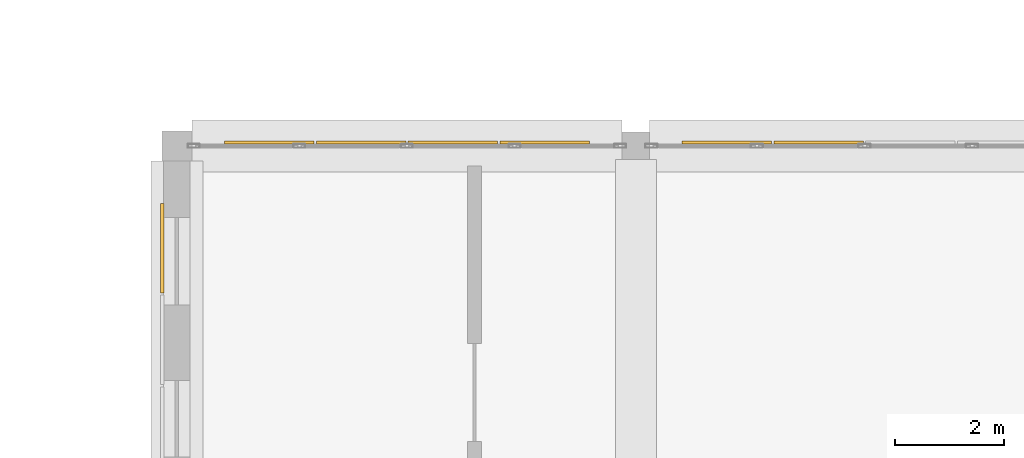
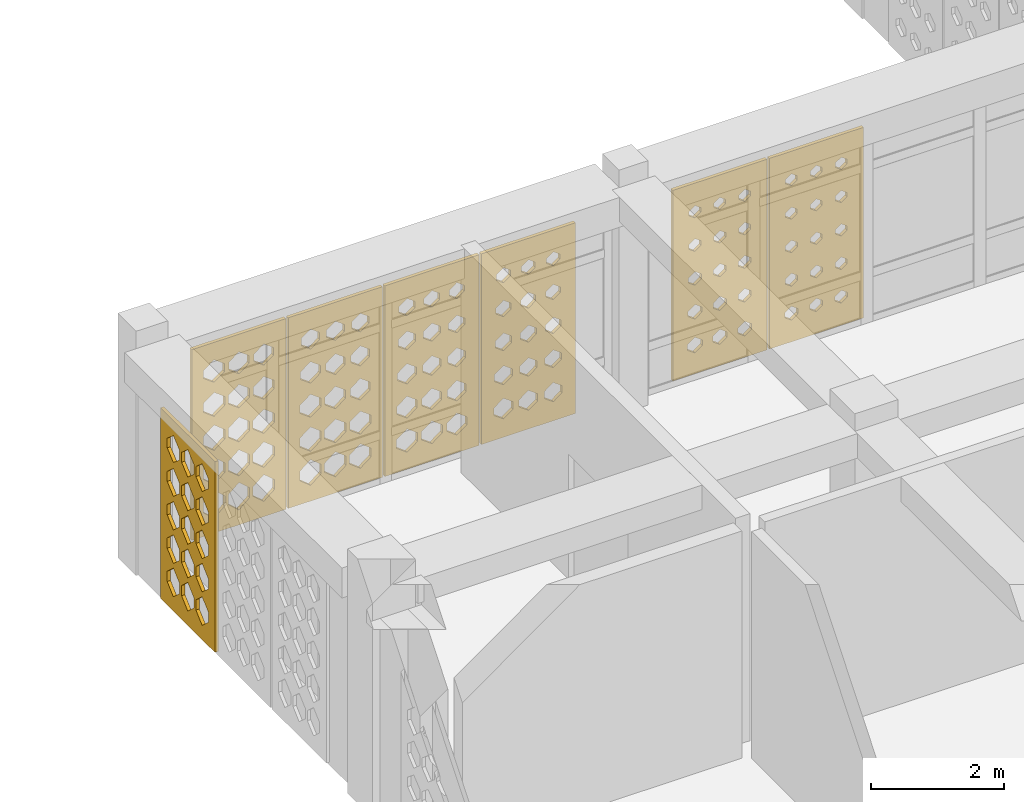
# One storey, part 108 of 121: 7 coverings.
"""IFC4 building model written with IfcOpenShell, lengths in metres."""

from ifc_helpers import new_model, si_unit, derived_unit, direction, frame, origin, place, context, subcontext, project, spatial, polyline, outline, extrude, material, layer, layer_set, type_object, element, save


model = new_model("IFC4")

# Units and contexts
model_context = context("Model", 3, precision=1e-05, world=origin(), true_north=direction((0.0, 1.0)))
body_context = subcontext(model_context, "Body", "Model", "MODEL_VIEW")
ifc_project = project(units=[si_unit("LENGTHUNIT", "METRE"), si_unit("AREAUNIT", "SQUARE_METRE"), si_unit("VOLUMEUNIT", "CUBIC_METRE"), si_unit("PLANEANGLEUNIT", "RADIAN"), si_unit("MASSUNIT", "GRAM", prefix="KILO"), derived_unit("THERMALTRANSMITTANCEUNIT", [(si_unit("POWERUNIT", "WATT"), 1), (si_unit("LENGTHUNIT", "METRE"), -2), (si_unit("THERMODYNAMICTEMPERATUREUNIT", "KELVIN"), -1)])], contexts=[model_context])

# Site, building, storey
site_placement = place(None, origin())
site = spatial("IfcSite", under=ifc_project, at=site_placement, CompositionType="ELEMENT")
building_placement = place(site_placement, origin())
building = spatial("IfcBuilding", under=site, at=building_placement, Name="Veybourne Emporium", CompositionType="ELEMENT")
storey_placement = place(building_placement, frame((0.0, 0.0, 5.39990234375)))
storey = spatial("IfcBuildingStorey", under=building, at=storey_placement, Name="L01", CompositionType="ELEMENT", Elevation=5.39990234375)

# Coverings
ifc_material = material(Name="Warm-White Perforated Aluminium Screen Alloy", Category="aluminium")
ifc_layer_1 = layer(ifc_material, 0.06005859375)
ifc_layer_set_1 = layer_set([ifc_layer_1], Name="Warm-White Perforated Aluminium Screen Alloy")
covering_type_1 = type_object("IfcCoveringType", Name="WaveScreen_SCR-01", PredefinedType="CLADDING", material=ifc_layer_set_1)
covering_1_placement = place(storey_placement, frame((38.652587890625, 108.093017578125, 1.815185546875), z_axis=(0.0, -1.0, 0.0), x_axis=(1.0, 0.0, 0.0)))
element("IfcCovering", 1, at=covering_1_placement, inside=storey, type_object=covering_type_1, Name="L01 wave-perforated aluminium screen SCR-01 (24C.3)", PredefinedType="CLADDING", context=body_context, shape_type="SweptSolid", body=[
    extrude(outline(polyline([(-0.81982421875, -1.7548828125), (0.81982421875, -1.7548828125), (0.81982421875, 1.7548828125), (-0.81982421875, 1.7548828125), (-0.81982421875, -1.7548828125)]), holes=[polyline([(-0.433349609375, -1.013671875), (-0.248046875, -1.15087890625), (-0.248046875, -1.30517578125), (-0.433349609375, -1.4423828125), (-0.61865234375, -1.30517578125), (-0.61865234375, -1.15087890625), (-0.433349609375, -1.013671875)]), polyline([(-0.433349609375, -0.413818359375), (-0.259521484375, -0.5419921875), (-0.259521484375, -0.68603515625), (-0.433349609375, -0.814208984375), (-0.607421875, -0.68603515625), (-0.607421875, -0.5419921875), (-0.433349609375, -0.413818359375)]), polyline([(-0.433349609375, 0.186279296875), (-0.27099609375, 0.06689453125), (-0.27099609375, -0.06689453125), (-0.433349609375, -0.186279296875), (-0.595703125, -0.06689453125), (-0.595703125, 0.06689453125), (-0.433349609375, 0.186279296875)]), polyline([(-0.433349609375, 0.7861328125), (-0.282470703125, 0.676025390625), (-0.282470703125, 0.552001953125), (-0.433349609375, 0.44189453125), (-0.584228515625, 0.552001953125), (-0.584228515625, 0.676025390625), (-0.433349609375, 0.7861328125)]), polyline([(-0.433349609375, 1.38671875), (-0.29345703125, 1.28515625), (-0.29345703125, 1.1708984375), (-0.433349609375, 1.069091796875), (-0.5732421875, 1.1708984375), (-0.5732421875, 1.28515625), (-0.433349609375, 1.38671875)]), polyline([(0.0, -1.02001953125), (0.18017578125, -1.153076171875), (0.18017578125, -1.302978515625), (0.0, -1.43603515625), (-0.18017578125, -1.302978515625), (-0.18017578125, -1.153076171875), (0.0, -1.02001953125)]), polyline([(0.0, -0.420166015625), (0.168701171875, -0.544189453125), (0.168701171875, -0.683837890625), (0.0, -0.807861328125), (-0.168701171875, -0.683837890625), (-0.168701171875, -0.544189453125), (0.0, -0.420166015625)]), polyline([(0.0, 0.1796875), (0.156982421875, 0.064697265625), (0.156982421875, -0.064697265625), (0.0, -0.1796875), (-0.156982421875, -0.064697265625), (-0.156982421875, 0.064697265625), (0.0, 0.1796875)]), polyline([(0.0, 0.780029296875), (0.145751953125, 0.673828125), (0.145751953125, 0.55419921875), (0.0, 0.447998046875), (-0.145751953125, 0.55419921875), (-0.145751953125, 0.673828125), (0.0, 0.780029296875)]), polyline([(0.0, 1.381103515625), (0.13525390625, 1.283203125), (0.13525390625, 1.1728515625), (0.0, 1.074951171875), (-0.13525390625, 1.1728515625), (-0.13525390625, 1.283203125), (0.0, 1.381103515625)]), polyline([(0.433349609375, -1.0263671875), (0.6083984375, -1.155517578125), (0.6083984375, -1.300537109375), (0.433349609375, -1.4296875), (0.25830078125, -1.300537109375), (0.25830078125, -1.155517578125), (0.433349609375, -1.0263671875)]), polyline([(0.433349609375, -0.426513671875), (0.5966796875, -0.54638671875), (0.5966796875, -0.681396484375), (0.433349609375, -0.801513671875), (0.27001953125, -0.681396484375), (0.27001953125, -0.54638671875), (0.433349609375, -0.426513671875)]), polyline([(0.433349609375, 0.173583984375), (0.585205078125, 0.0625), (0.585205078125, -0.0625), (0.433349609375, -0.173583984375), (0.281494140625, -0.0625), (0.281494140625, 0.0625), (0.433349609375, 0.173583984375)]), polyline([(0.433349609375, 0.77392578125), (0.57421875, 0.671630859375), (0.57421875, 0.556396484375), (0.433349609375, 0.4541015625), (0.29248046875, 0.556396484375), (0.29248046875, 0.671630859375), (0.433349609375, 0.77392578125)]), polyline([(0.433349609375, 1.37548828125), (0.56396484375, 1.281005859375), (0.56396484375, 1.1748046875), (0.433349609375, 1.08056640625), (0.302490234375, 1.1748046875), (0.302490234375, 1.281005859375), (0.433349609375, 1.37548828125)])]), origin(), (0.0, 0.0, 1.0), 0.06005859375),
])
ifc_layer_2 = layer(ifc_material, 0.06005859375)
ifc_layer_set_2 = layer_set([ifc_layer_2], Name="Warm-White Perforated Aluminium Screen Alloy")
covering_type_2 = type_object("IfcCoveringType", Name="WaveScreen_SCR-02", PredefinedType="CLADDING", material=ifc_layer_set_2)
covering_2_placement = place(storey_placement, frame((40.33251953125, 108.093017578125, 1.815185546875), z_axis=(0.0, -1.0, 0.0), x_axis=(1.0, 0.0, 0.0)))
element("IfcCovering", 2, at=covering_2_placement, inside=storey, type_object=covering_type_2, Name="L01 wave-perforated aluminium screen SCR-02 (24C.4)", PredefinedType="CLADDING", context=body_context, shape_type="SweptSolid", body=[
    extrude(outline(polyline([(-0.81982421875, -1.7548828125), (0.81982421875, -1.7548828125), (0.81982421875, 1.7548828125), (-0.81982421875, 1.7548828125), (-0.81982421875, -1.7548828125)]), holes=[polyline([(-0.433349609375, -1.038330078125), (-0.268310546875, -1.15966796875), (-0.268310546875, -1.29638671875), (-0.433349609375, -1.41748046875), (-0.598388671875, -1.29638671875), (-0.598388671875, -1.15966796875), (-0.433349609375, -1.038330078125)]), polyline([(-0.433349609375, -0.4384765625), (-0.27978515625, -0.55078125), (-0.27978515625, -0.67724609375), (-0.433349609375, -0.78955078125), (-0.5869140625, -0.67724609375), (-0.5869140625, -0.55078125), (-0.433349609375, -0.4384765625)]), polyline([(-0.433349609375, 0.162109375), (-0.290771484375, 0.058349609375), (-0.290771484375, -0.058349609375), (-0.433349609375, -0.162109375), (-0.575927734375, -0.058349609375), (-0.575927734375, 0.058349609375), (-0.433349609375, 0.162109375)]), polyline([(-0.433349609375, 0.76318359375), (-0.30126953125, 0.667724609375), (-0.30126953125, 0.560302734375), (-0.433349609375, 0.464599609375), (-0.5654296875, 0.560302734375), (-0.5654296875, 0.667724609375), (-0.433349609375, 0.76318359375)]), polyline([(-0.433349609375, 1.365966796875), (-0.310546875, 1.277587890625), (-0.310546875, 1.17822265625), (-0.433349609375, 1.090087890625), (-0.55615234375, 1.17822265625), (-0.55615234375, 1.277587890625), (-0.433349609375, 1.365966796875)]), polyline([(0.0, -1.044921875), (0.159912109375, -1.162109375), (0.159912109375, -1.2939453125), (0.0, -1.4111328125), (-0.159912109375, -1.2939453125), (-0.159912109375, -1.162109375), (0.0, -1.044921875)]), polyline([(0.0, -0.444580078125), (0.1484375, -0.552978515625), (0.1484375, -0.6748046875), (0.0, -0.783203125), (-0.1484375, -0.6748046875), (-0.1484375, -0.552978515625), (0.0, -0.444580078125)]), polyline([(0.0, 0.156005859375), (0.1376953125, 0.05615234375), (0.1376953125, -0.05615234375), (0.0, -0.156005859375), (-0.1376953125, -0.05615234375), (-0.1376953125, 0.05615234375), (0.0, 0.156005859375)]), polyline([(0.0, 0.758056640625), (0.127685546875, 0.665771484375), (0.127685546875, 0.562255859375), (0.0, 0.469970703125), (-0.127685546875, 0.562255859375), (-0.127685546875, 0.665771484375), (0.0, 0.758056640625)]), polyline([(0.0, 1.361328125), (0.118896484375, 1.27587890625), (0.118896484375, 1.179931640625), (0.0, 1.0947265625), (-0.118896484375, 1.179931640625), (-0.118896484375, 1.27587890625), (0.0, 1.361328125)]), polyline([(0.433349609375, -1.05126953125), (0.587890625, -1.164306640625), (0.587890625, -1.291748046875), (0.433349609375, -1.40478515625), (0.27880859375, -1.291748046875), (0.27880859375, -1.164306640625), (0.433349609375, -1.05126953125)]), polyline([(0.433349609375, -0.45068359375), (0.576904296875, -0.55517578125), (0.576904296875, -0.6728515625), (0.433349609375, -0.777099609375), (0.289794921875, -0.6728515625), (0.289794921875, -0.55517578125), (0.433349609375, -0.45068359375)]), polyline([(0.433349609375, 0.150390625), (0.56640625, 0.05419921875), (0.56640625, -0.05419921875), (0.433349609375, -0.150390625), (0.30029296875, -0.05419921875), (0.30029296875, 0.05419921875), (0.433349609375, 0.150390625)]), polyline([(0.433349609375, 0.7529296875), (0.556884765625, 0.6640625), (0.556884765625, 0.56396484375), (0.433349609375, 0.47509765625), (0.309814453125, 0.56396484375), (0.309814453125, 0.6640625), (0.433349609375, 0.7529296875)]), polyline([(0.433349609375, 1.35693359375), (0.548828125, 1.2744140625), (0.548828125, 1.181640625), (0.433349609375, 1.09912109375), (0.31787109375, 1.181640625), (0.31787109375, 1.2744140625), (0.433349609375, 1.35693359375)])]), origin(), (0.0, 0.0, 1.0), 0.06005859375),
])
covering_3_placement = place(storey_placement, frame((33.302001953125, 106.1298828125, 1.815185546875), z_axis=(1.0, 0.0, 0.0), x_axis=(0.0, 1.0, 0.0)))
element("IfcCovering", 3, at=covering_3_placement, inside=storey, type_object=covering_type_2, Name="L01 wave-perforated aluminium screen SCR-02 (25.3)", PredefinedType="CLADDING", context=body_context, shape_type="SweptSolid", body=[
    extrude(outline(polyline([(-0.81982421875, -1.7548828125), (0.81982421875, -1.7548828125), (0.81982421875, 1.7548828125), (-0.81982421875, 1.7548828125), (-0.81982421875, -1.7548828125)]), holes=[polyline([(-0.433349609375, -0.964111328125), (-0.2470703125, -1.133056640625), (-0.2470703125, -1.322998046875), (-0.433349609375, -1.491943359375), (-0.61962890625, -1.322998046875), (-0.61962890625, -1.133056640625), (-0.433349609375, -0.964111328125)]), polyline([(-0.433349609375, -0.35009765625), (-0.2470703125, -0.51904296875), (-0.2470703125, -0.708984375), (-0.433349609375, -0.8779296875), (-0.61962890625, -0.708984375), (-0.61962890625, -0.51904296875), (-0.433349609375, -0.35009765625)]), polyline([(-0.433349609375, 0.263916015625), (-0.2470703125, 0.094970703125), (-0.2470703125, -0.094970703125), (-0.433349609375, -0.263916015625), (-0.61962890625, -0.094970703125), (-0.61962890625, 0.094970703125), (-0.433349609375, 0.263916015625)]), polyline([(-0.433349609375, 0.8779296875), (-0.2470703125, 0.708984375), (-0.2470703125, 0.51904296875), (-0.433349609375, 0.35009765625), (-0.61962890625, 0.51904296875), (-0.61962890625, 0.708984375), (-0.433349609375, 0.8779296875)]), polyline([(-0.433349609375, 1.484375), (-0.2470703125, 1.3203125), (-0.2470703125, 1.1357421875), (-0.433349609375, 0.9716796875), (-0.61962890625, 1.1357421875), (-0.61962890625, 1.3203125), (-0.433349609375, 1.484375)]), polyline([(0.0, -0.964111328125), (0.186279296875, -1.133056640625), (0.186279296875, -1.322998046875), (0.0, -1.491943359375), (-0.186279296875, -1.322998046875), (-0.186279296875, -1.133056640625), (0.0, -0.964111328125)]), polyline([(0.0, -0.35009765625), (0.186279296875, -0.51904296875), (0.186279296875, -0.708984375), (0.0, -0.8779296875), (-0.186279296875, -0.708984375), (-0.186279296875, -0.51904296875), (0.0, -0.35009765625)]), polyline([(0.0, 0.263916015625), (0.186279296875, 0.094970703125), (0.186279296875, -0.094970703125), (0.0, -0.263916015625), (-0.186279296875, -0.094970703125), (-0.186279296875, 0.094970703125), (0.0, 0.263916015625)]), polyline([(0.0, 0.875), (0.186279296875, 0.7080078125), (0.186279296875, 0.52001953125), (0.0, 0.35302734375), (-0.186279296875, 0.52001953125), (-0.186279296875, 0.7080078125), (0.0, 0.875)]), polyline([(0.0, 1.47998046875), (0.186279296875, 1.31884765625), (0.186279296875, 1.13720703125), (0.0, 0.975830078125), (-0.186279296875, 1.13720703125), (-0.186279296875, 1.31884765625), (0.0, 1.47998046875)]), polyline([(0.433349609375, -0.964111328125), (0.61962890625, -1.133056640625), (0.61962890625, -1.322998046875), (0.433349609375, -1.491943359375), (0.2470703125, -1.322998046875), (0.2470703125, -1.133056640625), (0.433349609375, -0.964111328125)]), polyline([(0.433349609375, -0.35009765625), (0.61962890625, -0.51904296875), (0.61962890625, -0.708984375), (0.433349609375, -0.8779296875), (0.2470703125, -0.708984375), (0.2470703125, -0.51904296875), (0.433349609375, -0.35009765625)]), polyline([(0.433349609375, 0.263916015625), (0.61962890625, 0.094970703125), (0.61962890625, -0.094970703125), (0.433349609375, -0.263916015625), (0.2470703125, -0.094970703125), (0.2470703125, 0.094970703125), (0.433349609375, 0.263916015625)]), polyline([(0.433349609375, 0.87109375), (0.61962890625, 0.70654296875), (0.61962890625, 0.521484375), (0.433349609375, 0.356689453125), (0.2470703125, 0.521484375), (0.2470703125, 0.70654296875), (0.433349609375, 0.87109375)]), polyline([(0.433349609375, 1.4755859375), (0.61962890625, 1.317138671875), (0.61962890625, 1.138916015625), (0.433349609375, 0.98046875), (0.2470703125, 1.138916015625), (0.2470703125, 1.317138671875), (0.433349609375, 1.4755859375)])]), origin(), (0.0, 0.0, 1.0), 0.06005859375),
])
covering_4_placement = place(storey_placement, frame((43.66748046875, 108.093994140625, 1.815185546875), z_axis=(0.0, -1.0, 0.0), x_axis=(1.0, 0.0, 0.0)))
element("IfcCovering", 4, at=covering_4_placement, inside=storey, type_object=covering_type_2, Name="L01 wave-perforated aluminium screen SCR-02 (27C.1)", PredefinedType="CLADDING", context=body_context, shape_type="SweptSolid", body=[
    extrude(outline(polyline([(-0.81982421875, -1.7548828125), (0.81982421875, -1.7548828125), (0.81982421875, 1.7548828125), (-0.81982421875, 1.7548828125), (-0.81982421875, -1.7548828125)]), holes=[polyline([(-0.433349609375, -1.08447265625), (-0.305908203125, -1.17626953125), (-0.305908203125, -1.27978515625), (-0.433349609375, -1.37158203125), (-0.560791015625, -1.27978515625), (-0.560791015625, -1.17626953125), (-0.433349609375, -1.08447265625)]), polyline([(-0.433349609375, -0.481201171875), (-0.314697265625, -0.566162109375), (-0.314697265625, -0.661865234375), (-0.433349609375, -0.746826171875), (-0.552001953125, -0.661865234375), (-0.552001953125, -0.566162109375), (-0.433349609375, -0.481201171875)]), polyline([(-0.433349609375, 0.1240234375), (-0.322021484375, 0.044677734375), (-0.322021484375, -0.044677734375), (-0.433349609375, -0.1240234375), (-0.544921875, -0.044677734375), (-0.544921875, 0.044677734375), (-0.433349609375, 0.1240234375)]), polyline([(-0.433349609375, 0.731201171875), (-0.327392578125, 0.65625), (-0.327392578125, 0.57177734375), (-0.433349609375, 0.496826171875), (-0.539306640625, 0.57177734375), (-0.539306640625, 0.65625), (-0.433349609375, 0.731201171875)]), polyline([(-0.433349609375, 1.340576171875), (-0.331298828125, 1.2685546875), (-0.331298828125, 1.1875), (-0.433349609375, 1.115478515625), (-0.535400390625, 1.1875), (-0.535400390625, 1.2685546875), (-0.433349609375, 1.340576171875)]), polyline([(0.0, -1.089599609375), (0.123291015625, -1.177978515625), (0.123291015625, -1.27783203125), (0.0, -1.366455078125), (-0.123291015625, -1.27783203125), (-0.123291015625, -1.177978515625), (0.0, -1.089599609375)]), polyline([(0.0, -0.4853515625), (0.115234375, -0.567626953125), (0.115234375, -0.660400390625), (0.0, -0.74267578125), (-0.115234375, -0.660400390625), (-0.115234375, -0.567626953125), (0.0, -0.4853515625)]), polyline([(0.0, 0.12060546875), (0.108642578125, 0.04345703125), (0.108642578125, -0.04345703125), (0.0, -0.12060546875), (-0.108642578125, -0.04345703125), (-0.108642578125, 0.04345703125), (0.0, 0.12060546875)]), polyline([(0.0, 0.728759765625), (0.10400390625, 0.6552734375), (0.10400390625, 0.57275390625), (0.0, 0.499267578125), (-0.10400390625, 0.57275390625), (-0.10400390625, 0.6552734375), (0.0, 0.728759765625)]), polyline([(0.0, 1.339111328125), (0.10107421875, 1.26806640625), (0.10107421875, 1.18798828125), (0.0, 1.11669921875), (-0.10107421875, 1.18798828125), (-0.10107421875, 1.26806640625), (0.0, 1.339111328125)]), polyline([(0.433349609375, -1.09423828125), (0.552734375, -1.1796875), (0.552734375, -1.276123046875), (0.433349609375, -1.36181640625), (0.31396484375, -1.276123046875), (0.31396484375, -1.1796875), (0.433349609375, -1.09423828125)]), polyline([(0.433349609375, -0.4892578125), (0.54541015625, -0.569091796875), (0.54541015625, -0.658935546875), (0.433349609375, -0.73876953125), (0.3212890625, -0.658935546875), (0.3212890625, -0.569091796875), (0.433349609375, -0.4892578125)]), polyline([(0.433349609375, 0.11767578125), (0.53955078125, 0.04248046875), (0.53955078125, -0.04248046875), (0.433349609375, -0.11767578125), (0.326904296875, -0.04248046875), (0.326904296875, 0.04248046875), (0.433349609375, 0.11767578125)]), polyline([(0.433349609375, 0.726806640625), (0.53564453125, 0.654541015625), (0.53564453125, 0.573486328125), (0.433349609375, 0.501220703125), (0.3310546875, 0.573486328125), (0.3310546875, 0.654541015625), (0.433349609375, 0.726806640625)]), polyline([(0.433349609375, 1.33837890625), (0.53369140625, 1.267578125), (0.53369140625, 1.188232421875), (0.433349609375, 1.11767578125), (0.3330078125, 1.188232421875), (0.3330078125, 1.267578125), (0.433349609375, 1.33837890625)])]), origin(), (0.0, 0.0, 1.0), 0.06005859375),
])
ifc_layer_3 = layer(ifc_material, 0.06005859375)
ifc_layer_set_3 = layer_set([ifc_layer_3], Name="Warm-White Perforated Aluminium Screen Alloy")
covering_type_3 = type_object("IfcCoveringType", Name="WaveScreen_SCR-03", PredefinedType="CLADDING", material=ifc_layer_set_3)
covering_5_placement = place(storey_placement, frame((35.29248046875, 108.093017578125, 1.815185546875), z_axis=(0.0, -1.0, 0.0), x_axis=(1.0, 0.0, 0.0)))
element("IfcCovering", 5, at=covering_5_placement, inside=storey, type_object=covering_type_3, Name="L01 wave-perforated aluminium screen SCR-03 (24C.1)", PredefinedType="CLADDING", context=body_context, shape_type="SweptSolid", body=[
    extrude(outline(polyline([(-0.81982421875, -1.7548828125), (0.81982421875, -1.7548828125), (0.81982421875, 1.7548828125), (-0.81982421875, 1.7548828125), (-0.81982421875, -1.7548828125)]), holes=[polyline([(-0.433349609375, -0.972412109375), (-0.2470703125, -1.135986328125), (-0.2470703125, -1.320068359375), (-0.433349609375, -1.483642578125), (-0.61962890625, -1.320068359375), (-0.61962890625, -1.135986328125), (-0.433349609375, -0.972412109375)]), polyline([(-0.433349609375, -0.368408203125), (-0.2470703125, -0.525634765625), (-0.2470703125, -0.702392578125), (-0.433349609375, -0.859619140625), (-0.61962890625, -0.702392578125), (-0.61962890625, -0.525634765625), (-0.433349609375, -0.368408203125)]), polyline([(-0.433349609375, 0.234130859375), (-0.2470703125, 0.084228515625), (-0.2470703125, -0.084228515625), (-0.433349609375, -0.234130859375), (-0.61962890625, -0.084228515625), (-0.61962890625, 0.084228515625), (-0.433349609375, 0.234130859375)]), polyline([(-0.433349609375, 0.835205078125), (-0.2470703125, 0.693603515625), (-0.2470703125, 0.5341796875), (-0.433349609375, 0.392578125), (-0.61962890625, 0.5341796875), (-0.61962890625, 0.693603515625), (-0.433349609375, 0.835205078125)]), polyline([(-0.433349609375, 1.435546875), (-0.25341796875, 1.302734375), (-0.25341796875, 1.1533203125), (-0.433349609375, 1.0205078125), (-0.61328125, 1.1533203125), (-0.61328125, 1.302734375), (-0.433349609375, 1.435546875)]), polyline([(0.0, -0.976806640625), (0.186279296875, -1.137451171875), (0.186279296875, -1.318603515625), (0.0, -1.479248046875), (-0.186279296875, -1.318603515625), (-0.186279296875, -1.137451171875), (0.0, -0.976806640625)]), polyline([(0.0, -0.373291015625), (0.186279296875, -0.52734375), (0.186279296875, -0.70068359375), (0.0, -0.8544921875), (-0.186279296875, -0.70068359375), (-0.186279296875, -0.52734375), (0.0, -0.373291015625)]), polyline([(0.0, 0.228515625), (0.186279296875, 0.082275390625), (0.186279296875, -0.082275390625), (0.0, -0.228515625), (-0.186279296875, -0.082275390625), (-0.186279296875, 0.082275390625), (0.0, 0.228515625)]), polyline([(0.0, 0.8291015625), (0.18603515625, 0.69140625), (0.18603515625, 0.53662109375), (0.0, 0.398681640625), (-0.18603515625, 0.53662109375), (-0.18603515625, 0.69140625), (0.0, 0.8291015625)]), polyline([(0.0, 1.42919921875), (0.1748046875, 1.300537109375), (0.1748046875, 1.155517578125), (0.0, 1.026611328125), (-0.1748046875, 1.155517578125), (-0.1748046875, 1.300537109375), (0.0, 1.42919921875)]), polyline([(0.433349609375, -0.9814453125), (0.61962890625, -1.13916015625), (0.61962890625, -1.31689453125), (0.433349609375, -1.474609375), (0.2470703125, -1.31689453125), (0.2470703125, -1.13916015625), (0.433349609375, -0.9814453125)]), polyline([(0.433349609375, -0.37890625), (0.61962890625, -0.529296875), (0.61962890625, -0.69873046875), (0.433349609375, -0.84912109375), (0.2470703125, -0.69873046875), (0.2470703125, -0.529296875), (0.433349609375, -0.37890625)]), polyline([(0.433349609375, 0.222412109375), (0.61962890625, 0.080078125), (0.61962890625, -0.080078125), (0.433349609375, -0.222412109375), (0.2470703125, -0.080078125), (0.2470703125, 0.080078125), (0.433349609375, 0.222412109375)]), polyline([(0.433349609375, 0.822998046875), (0.6142578125, 0.689208984375), (0.6142578125, 0.538818359375), (0.433349609375, 0.405029296875), (0.25244140625, 0.538818359375), (0.25244140625, 0.689208984375), (0.433349609375, 0.822998046875)]), polyline([(0.433349609375, 1.4228515625), (0.602783203125, 1.298095703125), (0.602783203125, 1.157958984375), (0.433349609375, 1.033203125), (0.263916015625, 1.157958984375), (0.263916015625, 1.298095703125), (0.433349609375, 1.4228515625)])]), origin(), (0.0, 0.0, 1.0), 0.06005859375),
])
covering_6_placement = place(storey_placement, frame((45.347412109375, 108.093994140625, 1.815185546875), z_axis=(0.0, -1.0, 0.0), x_axis=(1.0, 0.0, 0.0)))
element("IfcCovering", 6, at=covering_6_placement, inside=storey, type_object=covering_type_3, Name="L01 wave-perforated aluminium screen SCR-03 (27C.2)", PredefinedType="CLADDING", context=body_context, shape_type="SweptSolid", body=[
    extrude(outline(polyline([(-0.81982421875, -1.7548828125), (0.81982421875, -1.7548828125), (0.81982421875, 1.7548828125), (-0.81982421875, 1.7548828125), (-0.81982421875, -1.7548828125)]), holes=[polyline([(-0.433349609375, -1.10205078125), (-0.3203125, -1.1826171875), (-0.3203125, -1.273193359375), (-0.433349609375, -1.35400390625), (-0.54638671875, -1.273193359375), (-0.54638671875, -1.1826171875), (-0.433349609375, -1.10205078125)]), polyline([(-0.433349609375, -0.495361328125), (-0.326416015625, -0.5712890625), (-0.326416015625, -0.65673828125), (-0.433349609375, -0.732666015625), (-0.540283203125, -0.65673828125), (-0.540283203125, -0.5712890625), (-0.433349609375, -0.495361328125)]), polyline([(-0.433349609375, 0.11328125), (-0.33056640625, 0.040771484375), (-0.33056640625, -0.040771484375), (-0.433349609375, -0.11328125), (-0.5361328125, -0.040771484375), (-0.5361328125, 0.040771484375), (-0.433349609375, 0.11328125)]), polyline([(-0.433349609375, 0.724609375), (-0.3330078125, 0.65380859375), (-0.3330078125, 0.57421875), (-0.433349609375, 0.50341796875), (-0.53369140625, 0.57421875), (-0.53369140625, 0.65380859375), (-0.433349609375, 0.724609375)]), polyline([(-0.433349609375, 1.338134765625), (-0.333251953125, 1.267578125), (-0.333251953125, 1.1884765625), (-0.433349609375, 1.117919921875), (-0.533447265625, 1.1884765625), (-0.533447265625, 1.267578125), (-0.433349609375, 1.338134765625)]), polyline([(0.0, -1.105712890625), (0.110107421875, -1.183837890625), (0.110107421875, -1.272216796875), (0.0, -1.350341796875), (-0.110107421875, -1.272216796875), (-0.110107421875, -1.183837890625), (0.0, -1.105712890625)]), polyline([(0.0, -0.498046875), (0.10498046875, -0.572265625), (0.10498046875, -0.65576171875), (0.0, -0.72998046875), (-0.10498046875, -0.65576171875), (-0.10498046875, -0.572265625), (0.0, -0.498046875)]), polyline([(0.0, 0.11181640625), (0.1015625, 0.040283203125), (0.1015625, -0.040283203125), (0.0, -0.11181640625), (-0.1015625, -0.040283203125), (-0.1015625, 0.040283203125), (0.0, 0.11181640625)]), polyline([(0.0, 0.72412109375), (0.10009765625, 0.653564453125), (0.10009765625, 0.574462890625), (0.0, 0.50390625), (-0.10009765625, 0.574462890625), (-0.10009765625, 0.653564453125), (0.0, 0.72412109375)]), polyline([(0.0, 1.338623046875), (0.1005859375, 1.267822265625), (0.1005859375, 1.18798828125), (0.0, 1.1171875), (-0.1005859375, 1.18798828125), (-0.1005859375, 1.267822265625), (0.0, 1.338623046875)]), polyline([(0.433349609375, -1.10888671875), (0.541015625, -1.18505859375), (0.541015625, -1.27099609375), (0.433349609375, -1.34716796875), (0.32568359375, -1.27099609375), (0.32568359375, -1.18505859375), (0.433349609375, -1.10888671875)]), polyline([(0.433349609375, -0.500244140625), (0.536376953125, -0.572998046875), (0.536376953125, -0.655029296875), (0.433349609375, -0.727783203125), (0.330078125, -0.655029296875), (0.330078125, -0.572998046875), (0.433349609375, -0.500244140625)]), polyline([(0.433349609375, 0.110595703125), (0.533935546875, 0.039794921875), (0.533935546875, -0.039794921875), (0.433349609375, -0.110595703125), (0.332763671875, -0.039794921875), (0.332763671875, 0.039794921875), (0.433349609375, 0.110595703125)]), polyline([(0.433349609375, 0.72412109375), (0.533447265625, 0.653564453125), (0.533447265625, 0.574462890625), (0.433349609375, 0.50390625), (0.333251953125, 0.574462890625), (0.333251953125, 0.653564453125), (0.433349609375, 0.72412109375)]), polyline([(0.433349609375, 1.33984375), (0.534912109375, 1.268310546875), (0.534912109375, 1.187744140625), (0.433349609375, 1.1162109375), (0.331787109375, 1.187744140625), (0.331787109375, 1.268310546875), (0.433349609375, 1.33984375)])]), origin(), (0.0, 0.0, 1.0), 0.06005859375),
])
ifc_layer_4 = layer(ifc_material, 0.06005859375)
ifc_layer_set_4 = layer_set([ifc_layer_4], Name="Warm-White Perforated Aluminium Screen Alloy")
covering_type_4 = type_object("IfcCoveringType", Name="WaveScreen_SCR-04", PredefinedType="CLADDING", material=ifc_layer_set_4)
covering_7_placement = place(storey_placement, frame((36.972412109375, 108.093017578125, 1.815185546875), z_axis=(0.0, -1.0, 0.0), x_axis=(1.0, 0.0, 0.0)))
element("IfcCovering", 7, at=covering_7_placement, inside=storey, type_object=covering_type_4, Name="L01 wave-perforated aluminium screen SCR-04 (24C.2)", PredefinedType="CLADDING", context=body_context, shape_type="SweptSolid", body=[
    extrude(outline(polyline([(-0.81982421875, -1.7548828125), (0.81982421875, -1.7548828125), (0.81982421875, 1.7548828125), (-0.81982421875, 1.7548828125), (-0.81982421875, -1.7548828125)]), holes=[polyline([(-0.433349609375, -0.990966796875), (-0.2470703125, -1.142578125), (-0.2470703125, -1.313232421875), (-0.433349609375, -1.465087890625), (-0.61962890625, -1.313232421875), (-0.61962890625, -1.142578125), (-0.433349609375, -0.990966796875)]), polyline([(-0.433349609375, -0.3896484375), (-0.2470703125, -0.533203125), (-0.2470703125, -0.69482421875), (-0.433349609375, -0.83837890625), (-0.61962890625, -0.69482421875), (-0.61962890625, -0.533203125), (-0.433349609375, -0.3896484375)]), polyline([(-0.433349609375, 0.2109375), (-0.250732421875, 0.075927734375), (-0.250732421875, -0.075927734375), (-0.433349609375, -0.2109375), (-0.615966796875, -0.075927734375), (-0.615966796875, 0.075927734375), (-0.433349609375, 0.2109375)]), polyline([(-0.433349609375, 0.810791015625), (-0.26220703125, 0.684814453125), (-0.26220703125, 0.543212890625), (-0.433349609375, 0.4169921875), (-0.6044921875, 0.543212890625), (-0.6044921875, 0.684814453125), (-0.433349609375, 0.810791015625)]), polyline([(-0.433349609375, 1.410888671875), (-0.273681640625, 1.293701171875), (-0.273681640625, 1.162109375), (-0.433349609375, 1.045166015625), (-0.593017578125, 1.162109375), (-0.593017578125, 1.293701171875), (-0.433349609375, 1.410888671875)]), polyline([(0.0, -0.99658203125), (0.186279296875, -1.144775390625), (0.186279296875, -1.311279296875), (0.0, -1.45947265625), (-0.186279296875, -1.311279296875), (-0.186279296875, -1.144775390625), (0.0, -0.99658203125)]), polyline([(0.0, -0.3955078125), (0.186279296875, -0.535400390625), (0.186279296875, -0.692626953125), (0.0, -0.83251953125), (-0.186279296875, -0.692626953125), (-0.186279296875, -0.535400390625), (0.0, -0.3955078125)]), polyline([(0.0, 0.20458984375), (0.177490234375, 0.07373046875), (0.177490234375, -0.07373046875), (0.0, -0.20458984375), (-0.177490234375, -0.07373046875), (-0.177490234375, 0.07373046875), (0.0, 0.20458984375)]), polyline([(0.0, 0.804443359375), (0.166015625, 0.6826171875), (0.166015625, 0.54541015625), (0.0, 0.423583984375), (-0.166015625, 0.54541015625), (-0.166015625, 0.6826171875), (0.0, 0.804443359375)]), polyline([(0.0, 1.404296875), (0.154296875, 1.29150390625), (0.154296875, 1.16455078125), (0.0, 1.051513671875), (-0.154296875, 1.16455078125), (-0.154296875, 1.29150390625), (0.0, 1.404296875)]), polyline([(0.433349609375, -1.002197265625), (0.61962890625, -1.146728515625), (0.61962890625, -1.30908203125), (0.433349609375, -1.45361328125), (0.2470703125, -1.30908203125), (0.2470703125, -1.146728515625), (0.433349609375, -1.002197265625)]), polyline([(0.433349609375, -0.40185546875), (0.616943359375, -0.53759765625), (0.616943359375, -0.6904296875), (0.433349609375, -0.826171875), (0.249755859375, -0.6904296875), (0.249755859375, -0.53759765625), (0.433349609375, -0.40185546875)]), polyline([(0.433349609375, 0.1982421875), (0.60546875, 0.0712890625), (0.60546875, -0.0712890625), (0.433349609375, -0.1982421875), (0.260986328125, -0.0712890625), (0.260986328125, 0.0712890625), (0.433349609375, 0.1982421875)]), polyline([(0.433349609375, 0.798095703125), (0.593994140625, 0.680419921875), (0.593994140625, 0.547607421875), (0.433349609375, 0.429931640625), (0.272705078125, 0.547607421875), (0.272705078125, 0.680419921875), (0.433349609375, 0.798095703125)]), polyline([(0.433349609375, 1.398193359375), (0.58251953125, 1.289306640625), (0.58251953125, 1.166748046875), (0.433349609375, 1.057861328125), (0.2841796875, 1.166748046875), (0.2841796875, 1.289306640625), (0.433349609375, 1.398193359375)])]), origin(), (0.0, 0.0, 1.0), 0.06005859375),
])

save(model, "model.ifc")
